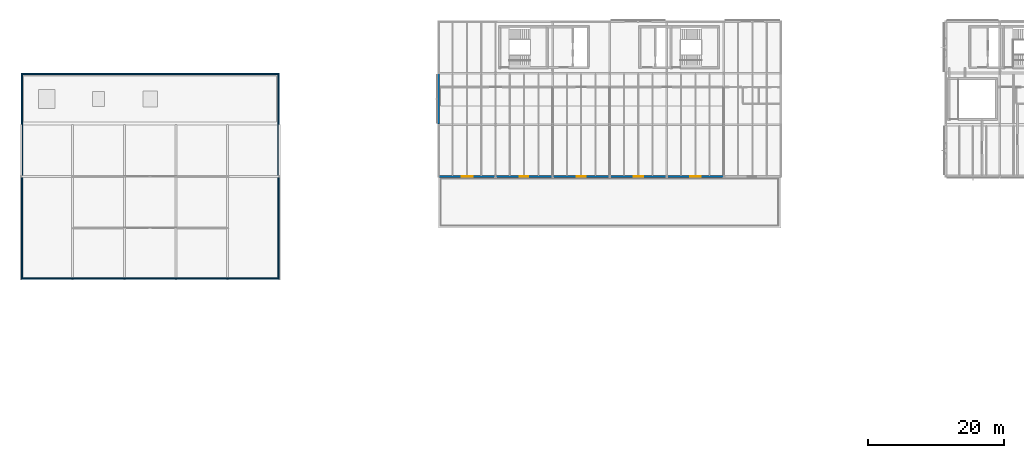
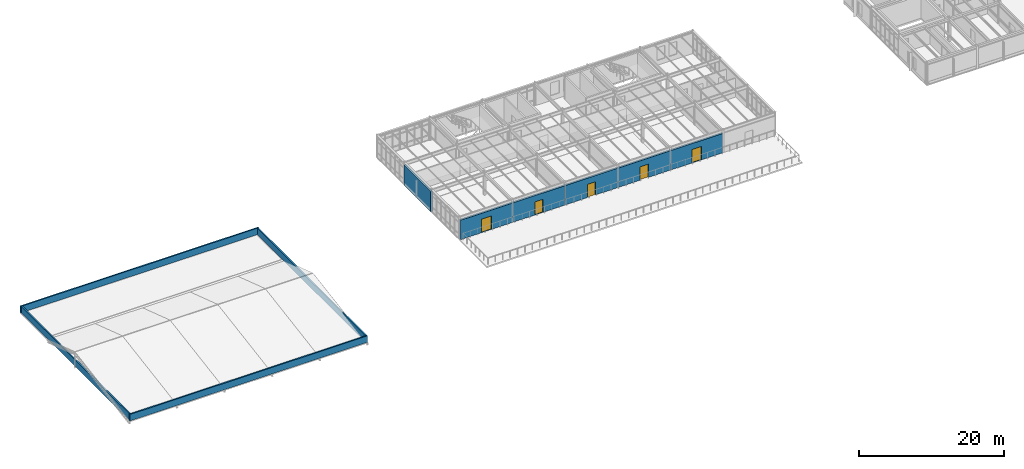
# One storey, part 50 of 65: 10 walls, 5 doors, 5 openings.
"""IFC4 building model written with IfcOpenShell, lengths in metres."""

from ifc_helpers import new_model, si_unit, direction, frame, frame_2d, origin, place, context, subcontext, project, spatial, rectangle, extrude, material, layer, layer_set, type_object, element, fill, save


model = new_model("IFC4")

# Units and contexts
model_context = context("Model", 3, precision=1e-05, world=origin(), true_north=direction((0.0, 1.0)))
body_context = subcontext(model_context, "Body", "Model", "MODEL_VIEW")
ifc_project = project(units=[si_unit("LENGTHUNIT", "METRE"), si_unit("AREAUNIT", "SQUARE_METRE"), si_unit("VOLUMEUNIT", "CUBIC_METRE"), si_unit("PLANEANGLEUNIT", "RADIAN"), si_unit("MASSUNIT", "GRAM", prefix="KILO")], contexts=[model_context])

# Site, building, storey
site_placement = place(None, origin())
site = spatial("IfcSite", under=ifc_project, at=site_placement, CompositionType="ELEMENT")
building_placement = place(site_placement, origin())
building = spatial("IfcBuilding", under=site, at=building_placement, Name="Montecoro Central Library", CompositionType="ELEMENT")
storey_placement = place(building_placement, frame((0.0, 0.0, 17.340087890625)))
storey = spatial("IfcBuildingStorey", under=building, at=storey_placement, Name="L04", CompositionType="ELEMENT", Elevation=17.340087890625)

# Walls
ifc_material_1 = material(Name="Roman travertine stone clad concrete C32/40", Category="masonry")
ifc_layer_1 = layer(ifc_material_1, 0.215087890625)
ifc_layer_set_1 = layer_set([ifc_layer_1], Name="Roman travertine stone clad concrete C32/40")
wall_type_1 = type_object("IfcWallType", Name="EW-PAR-215", PredefinedType="PARAPET", material=ifc_layer_set_1)
for number, where, z_axis, x_axis, name in (
    (1, (5.0, 81.14990234375, 0.0), (0.0, 0.0, 1.0), (1.0, 0.0, 0.0), "V4-ROOF-PAR-S"),
    (2, (43.0, 111.25, 0.0), (0.0, 0.0, 1.0), (-1.0, 0.0, 0.0), "V4-ROOF-PAR-N"),
):
    element("IfcWall", number, at=place(storey_placement, frame(where, z_axis=z_axis, x_axis=x_axis)), inside=storey, type_object=wall_type_1, Name=name, PredefinedType="PARAPET", context=body_context, shape_type="SweptSolid", body=[
        extrude(rectangle(XDim=38.0, YDim=0.215087890625, at=frame_2d((19.0, 0.0))), origin(), (0.0, 0.0, 1.0), 1.099853515625),
    ])
for number, where, z_axis, x_axis, name in (
    (3, (42.85009765625, 81.300048828125, 0.0), (0.0, 0.0, 1.0), (0.0, 1.0, 0.0), "V4-ROOF-PAR-E"),
    (4, (5.14990234375, 111.10009765625, 0.0), (0.0, 0.0, 1.0), (0.0, -1.0, 0.0), "V4-ROOF-PAR-W"),
):
    element("IfcWall", number, at=place(storey_placement, frame(where, z_axis=z_axis, x_axis=x_axis)), inside=storey, type_object=wall_type_1, Name=name, PredefinedType="PARAPET", context=body_context, shape_type="SweptSolid", body=[
        extrude(rectangle(XDim=29.800048828125, YDim=0.215087890625, at=frame_2d((14.89990234375, 0.0))), origin(), (0.0, 0.0, 1.0), 1.099853515625),
    ])

# Wall, opening, door
ifc_material_2 = material(Name="Roman travertine stone clad concrete C35/45", Category="masonry")
ifc_layer_2 = layer(ifc_material_2, 0.31005859375)
ifc_layer_set_2 = layer_set([ifc_layer_2], Name="Roman travertine stone clad concrete C35/45")
wall_type_2 = type_object("IfcWallType", Name="EW-TRV-310", PredefinedType="SOLIDWALL", material=ifc_layer_set_2)
wall_1_placement = place(storey_placement, frame((66.492919921875, 96.199951171875, 0.0), z_axis=(0.0, 0.0, 1.0), x_axis=(1.0, 0.0, 0.0)))
wall_1 = element("IfcWall", 5, at=wall_1_placement, inside=storey, type_object=wall_type_2, Name="V2-L04-EW-S0", PredefinedType="SOLIDWALL", context=body_context, shape_type="SweptSolid", body=[
    extrude(rectangle(XDim=8.302001953125, YDim=0.31005859375, at=frame_2d((4.15087890625, 0.0))), origin(), (0.0, 0.0, 1.0), 3.27001953125),
])
opening_1_placement = place(wall_1_placement, frame((3.3759765625, 0.0, 0.0)))
opening_1 = element("IfcOpeningElement", 6, at=opening_1_placement, cuts=wall_1, Name="Opening ED-08", PredefinedType="OPENING", context=body_context, shape_type="SweptSolid", body=[
    extrude(rectangle(XDim=1.550048828125, YDim=2.280029296875, at=frame_2d((0.77490234375, 1.14013671875))), frame((0.0, 0.1650390625, 0.0), z_axis=(0.0, -1.0, 0.0), x_axis=(1.0, 0.0, 0.0)), (0.0, 0.0, 1.0), 0.330078125),
])
ifc_material_3 = material(Name="Thermally broken architectural bronze and safety glass", Category="glass")
door_type_1 = type_object("IfcDoorType", Name="ED-TER-155", OperationType="NOTDEFINED", PredefinedType="DOOR", material=ifc_material_3)
door_1_placement = place(opening_1_placement, origin())
door_1 = element("IfcDoor", 7, at=door_1_placement, inside=storey, type_object=door_type_1, Name="V2-L04-TD-S0", OperationType="SINGLE_SWING_RIGHT", OverallHeight=2.280029296875, OverallWidth=1.550048828125, PredefinedType="DOOR", context=body_context, shape_type="SweptSolid", body=[
    extrude(rectangle(XDim=1.550048828125, YDim=2.280029296875, at=frame_2d((0.77490234375, 1.14013671875))), frame((0.0, 0.02490234375, 0.0), z_axis=(0.0, -1.0, 0.0), x_axis=(1.0, 0.0, 0.0)), (0.0, 0.0, 1.0), 0.050048828125),
])
fill(opening_1, door_1)

wall_2_placement = place(storey_placement, frame((74.804931640625, 96.199951171875, 0.0), z_axis=(0.0, 0.0, 1.0), x_axis=(1.0, 0.0, 0.0)))
wall_2 = element("IfcWall", 8, at=wall_2_placement, inside=storey, type_object=wall_type_2, Name="V2-L04-EW-S1", PredefinedType="SOLIDWALL", context=body_context, shape_type="SweptSolid", body=[
    extrude(rectangle(XDim=8.39013671875, YDim=0.31005859375, at=frame_2d((4.195068359375, 0.0))), origin(), (0.0, 0.0, 1.0), 3.27001953125),
])
opening_2_placement = place(wall_2_placement, frame((3.570068359375, 0.0, 0.0)))
opening_2 = element("IfcOpeningElement", 9, at=opening_2_placement, cuts=wall_2, Name="Opening ED-09", PredefinedType="OPENING", context=body_context, shape_type="SweptSolid", body=[
    extrude(rectangle(XDim=1.25, YDim=2.199951171875, at=frame_2d((0.625, 1.10009765625))), frame((0.0, 0.1650390625, 0.0), z_axis=(0.0, -1.0, 0.0), x_axis=(1.0, 0.0, 0.0)), (0.0, 0.0, 1.0), 0.330078125),
])
door_type_2 = type_object("IfcDoorType", Name="ED-TER-125", OperationType="NOTDEFINED", PredefinedType="DOOR", material=ifc_material_3)
door_2_placement = place(opening_2_placement, origin())
door_2 = element("IfcDoor", 10, at=door_2_placement, inside=storey, type_object=door_type_2, Name="V2-L04-TD-S1", OperationType="SINGLE_SWING_LEFT", OverallHeight=2.199951171875, OverallWidth=1.25, PredefinedType="DOOR", context=body_context, shape_type="SweptSolid", body=[
    extrude(rectangle(XDim=1.25, YDim=2.199951171875, at=frame_2d((0.625, 1.10009765625))), frame((0.0, 0.02490234375, 0.0), z_axis=(0.0, -1.0, 0.0), x_axis=(1.0, 0.0, 0.0)), (0.0, 0.0, 1.0), 0.050048828125),
])
fill(opening_2, door_2)

wall_3_placement = place(storey_placement, frame((83.205078125, 96.199951171875, 0.0), z_axis=(0.0, 0.0, 1.0), x_axis=(1.0, 0.0, 0.0)))
wall_3 = element("IfcWall", 11, at=wall_3_placement, inside=storey, type_object=wall_type_2, Name="V2-L04-EW-S2", PredefinedType="SOLIDWALL", context=body_context, shape_type="SweptSolid", body=[
    extrude(rectangle(XDim=8.389892578125, YDim=0.31005859375, at=frame_2d((4.19482421875, 0.0))), origin(), (0.0, 0.0, 1.0), 3.27001953125),
])
opening_3_placement = place(wall_3_placement, frame((3.534912109375, 0.0, 0.0)))
opening_3 = element("IfcOpeningElement", 12, at=opening_3_placement, cuts=wall_3, Name="Opening ED-10", PredefinedType="OPENING", context=body_context, shape_type="SweptSolid", body=[
    extrude(rectangle(XDim=1.320068359375, YDim=2.219970703125, at=frame_2d((0.66015625, 1.10986328125))), frame((0.0, 0.1650390625, 0.0), z_axis=(0.0, -1.0, 0.0), x_axis=(1.0, 0.0, 0.0)), (0.0, 0.0, 1.0), 0.330078125),
])
door_type_3 = type_object("IfcDoorType", Name="ED-TER-132", OperationType="NOTDEFINED", PredefinedType="DOOR", material=ifc_material_3)
door_3_placement = place(opening_3_placement, origin())
door_3 = element("IfcDoor", 13, at=door_3_placement, inside=storey, type_object=door_type_3, Name="V2-L04-TD-S2", OperationType="SINGLE_SWING_RIGHT", OverallHeight=2.219970703125, OverallWidth=1.320068359375, PredefinedType="DOOR", context=body_context, shape_type="SweptSolid", body=[
    extrude(rectangle(XDim=1.320068359375, YDim=2.219970703125, at=frame_2d((0.66015625, 1.10986328125))), frame((0.0, 0.02490234375, 0.0), z_axis=(0.0, -1.0, 0.0), x_axis=(1.0, 0.0, 0.0)), (0.0, 0.0, 1.0), 0.050048828125),
])
fill(opening_3, door_3)

wall_4_placement = place(storey_placement, frame((91.60498046875, 96.199951171875, 0.0), z_axis=(0.0, 0.0, 1.0), x_axis=(1.0, 0.0, 0.0)))
wall_4 = element("IfcWall", 14, at=wall_4_placement, inside=storey, type_object=wall_type_2, Name="V2-L04-EW-S3", PredefinedType="SOLIDWALL", context=body_context, shape_type="SweptSolid", body=[
    extrude(rectangle(XDim=8.39013671875, YDim=0.31005859375, at=frame_2d((4.195068359375, 0.0))), origin(), (0.0, 0.0, 1.0), 3.27001953125),
])
opening_4_placement = place(wall_4_placement, frame((3.4951171875, 0.0, 0.0)))
opening_4 = element("IfcOpeningElement", 15, at=opening_4_placement, cuts=wall_4, Name="Opening ED-07", PredefinedType="OPENING", context=body_context, shape_type="SweptSolid", body=[
    extrude(rectangle(XDim=1.39990234375, YDim=2.25, at=frame_2d((0.699951171875, 1.125))), frame((0.0, 0.1650390625, 0.0), z_axis=(0.0, -1.0, 0.0), x_axis=(1.0, 0.0, 0.0)), (0.0, 0.0, 1.0), 0.330078125),
])
door_type_4 = type_object("IfcDoorType", Name="ED-TER-140", OperationType="NOTDEFINED", PredefinedType="DOOR", material=ifc_material_3)
door_4_placement = place(opening_4_placement, origin())
door_4 = element("IfcDoor", 16, at=door_4_placement, inside=storey, type_object=door_type_4, Name="V2-L04-TD-S3", OperationType="SINGLE_SWING_LEFT", OverallHeight=2.25, OverallWidth=1.39990234375, PredefinedType="DOOR", context=body_context, shape_type="SweptSolid", body=[
    extrude(rectangle(XDim=1.39990234375, YDim=2.25, at=frame_2d((0.699951171875, 1.125))), frame((0.0, 0.02490234375, 0.0), z_axis=(0.0, -1.0, 0.0), x_axis=(1.0, 0.0, 0.0)), (0.0, 0.0, 1.0), 0.050048828125),
])
fill(opening_4, door_4)

wall_5_placement = place(storey_placement, frame((100.0048828125, 96.199951171875, 0.0), z_axis=(0.0, 0.0, 1.0), x_axis=(1.0, 0.0, 0.0)))
wall_5 = element("IfcWall", 17, at=wall_5_placement, inside=storey, type_object=wall_type_2, Name="V2-L04-EW-S4", PredefinedType="SOLIDWALL", context=body_context, shape_type="SweptSolid", body=[
    extrude(rectangle(XDim=8.39013671875, YDim=0.31005859375, at=frame_2d((4.195068359375, 0.0))), origin(), (0.0, 0.0, 1.0), 3.27001953125),
])
opening_5_placement = place(wall_5_placement, frame((3.419921875, 0.0, 0.0)))
opening_5 = element("IfcOpeningElement", 18, at=opening_5_placement, cuts=wall_5, Name="Opening ED-08", PredefinedType="OPENING", context=body_context, shape_type="SweptSolid", body=[
    extrude(rectangle(XDim=1.550048828125, YDim=2.280029296875, at=frame_2d((0.77490234375, 1.14013671875))), frame((0.0, 0.1650390625, 0.0), z_axis=(0.0, -1.0, 0.0), x_axis=(1.0, 0.0, 0.0)), (0.0, 0.0, 1.0), 0.330078125),
])
door_5_placement = place(opening_5_placement, origin())
door_5 = element("IfcDoor", 19, at=door_5_placement, inside=storey, type_object=door_type_1, Name="V2-L04-TD-S4", OperationType="SINGLE_SWING_RIGHT", OverallHeight=2.280029296875, OverallWidth=1.550048828125, PredefinedType="DOOR", context=body_context, shape_type="SweptSolid", body=[
    extrude(rectangle(XDim=1.550048828125, YDim=2.280029296875, at=frame_2d((0.77490234375, 1.14013671875))), frame((0.0, 0.02490234375, 0.0), z_axis=(0.0, -1.0, 0.0), x_axis=(1.0, 0.0, 0.0)), (0.0, 0.0, 1.0), 0.050048828125),
])
fill(opening_5, door_5)

# Wall
wall_6_placement = place(storey_placement, frame((66.39990234375, 111.306884765625, 0.0), z_axis=(0.0, 0.0, 1.0), x_axis=(0.0, -1.0, 0.0)))
element("IfcWall", 20, at=wall_6_placement, inside=storey, type_object=wall_type_2, Name="V2-L04-EW-W1", PredefinedType="SOLIDWALL", context=body_context, shape_type="SweptSolid", body=[
    extrude(rectangle(XDim=7.413818359375, YDim=0.31005859375, at=frame_2d((3.70703125, 0.0))), origin(), (0.0, 0.0, 1.0), 3.47998046875),
])

save(model, "model.ifc")
